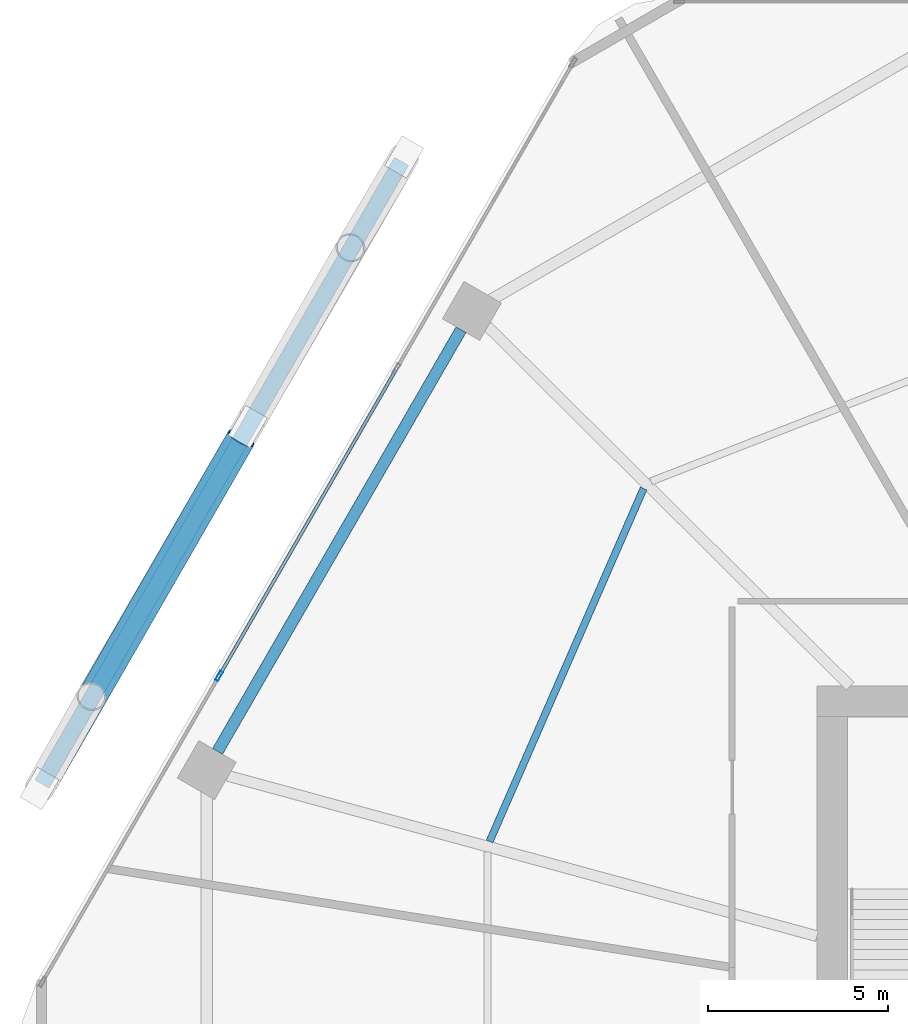
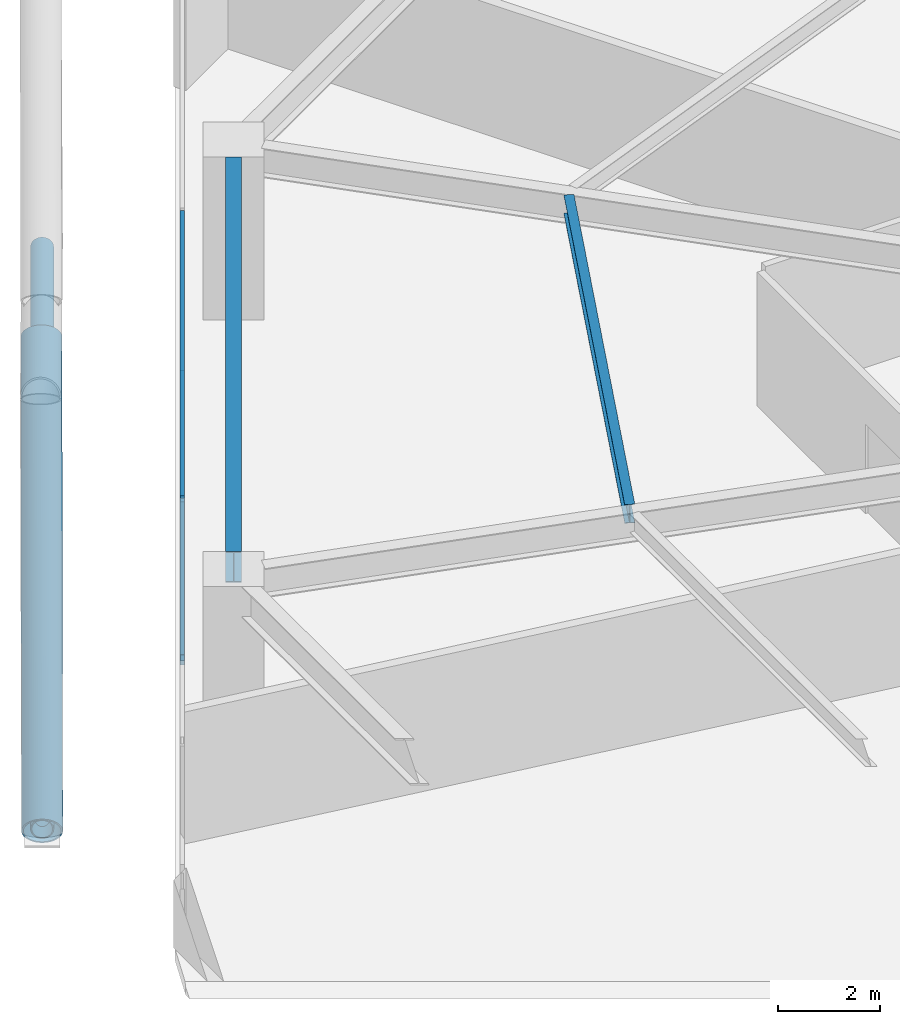
# One storey, part 14 of 28: 5 members, 2 beams, 1 element without a shape of its own.
"""IFC4 building model written with IfcOpenShell, lengths in metres."""

from ifc_helpers import new_model, si_unit, direction, frame, origin, origin_2d, place, context, subcontext, project, spatial, hollow_rectangle, hollow_circle, i_section, extrude, material, material_profile, profile_set, type_object, element, aggregate, save


model = new_model("IFC4")

# Units and contexts
model_context = context("Model", 3, precision=1e-05, world=origin(), true_north=direction((0.0, 1.0)))
body_context = subcontext(model_context, "Body", "Model", "MODEL_VIEW")
ifc_project = project(units=[si_unit("LENGTHUNIT", "METRE"), si_unit("AREAUNIT", "SQUARE_METRE"), si_unit("VOLUMEUNIT", "CUBIC_METRE"), si_unit("PLANEANGLEUNIT", "RADIAN"), si_unit("MASSUNIT", "GRAM", prefix="KILO")], contexts=[model_context])

# Site, building, storey
site_placement = place(None, origin())
site = spatial("IfcSite", under=ifc_project, at=site_placement, CompositionType="ELEMENT")
building_placement = place(site_placement, origin())
building = spatial("IfcBuilding", under=site, at=building_placement, Name="Zuhravey Tower", CompositionType="ELEMENT")
storey_placement = place(building_placement, frame((0.0, 0.0, 75.0)))
storey = spatial("IfcBuildingStorey", under=building, at=storey_placement, Name="L18", CompositionType="ELEMENT", Elevation=75.0)

# Curtain wall, members
ifc_material_1 = material(Name="Thermally broken anodised aluminium", Category="aluminium")
curtain_wall_type = type_object("IfcCurtainWallType", Name="School Low-E Unitised Curtain Wall CW1", PredefinedType="NOTDEFINED", material=ifc_material_1)
curtain_wall_placement = place(storey_placement, origin())
curtain_wall = element("IfcCurtainWall", 1, at=curtain_wall_placement, inside=storey, type_object=curtain_wall_type, Name="L18 CW1 CW-L18-F3-1", PredefinedType="NOTDEFINED")
ifc_material_2 = material(Name="Anodised aluminium", Category="aluminium")
ifc_material_profile_1 = material_profile(ifc_material_2, hollow_rectangle(XDim=0.090087890625, YDim=0.284912109375, WallThickness=0.0048828125, at=origin_2d()), Name="ALU-RHS-90x285x5")
ifc_profile_set_1 = profile_set([ifc_material_profile_1], Name="Anodised aluminium")
member_type_1 = type_object("IfcMemberType", Name="Curtain-Wall Mullion 90x180", PredefinedType="MULLION", material=ifc_profile_set_1)
member_1_placement = place(storey_placement, frame((8.45458984375, 42.20703125, 0.0), z_axis=(0.0, 0.0, 1.0), x_axis=(-0.86602552265, 0.499999794119, 0.0)))
member_1 = element("IfcMember", 2, at=member_1_placement, type_object=member_type_1, Name="CW1 mullion 2", PredefinedType="MULLION", context=body_context, shape_type="SweptSolid", body=[
    extrude(hollow_rectangle(XDim=0.090087890625, YDim=0.284912109375, WallThickness=0.0048828125, at=origin_2d()), origin(), (0.0, 0.0, 1.0), 3.919921875),
])
ifc_material_profile_2 = material_profile(ifc_material_2, hollow_rectangle(XDim=0.090087890625, YDim=0.14990234375, WallThickness=0.0048828125, at=origin_2d()), Name="ALU-RHS-90x150x5")
ifc_profile_set_2 = profile_set([ifc_material_profile_2], Name="Anodised aluminium")
member_type_2 = type_object("IfcMemberType", Name="Curtain-Wall Transom 90x150", PredefinedType="USERDEFINED", material=ifc_profile_set_2)
member_2_placement = place(storey_placement, frame((8.47705078125, 42.245849609375, 0.044921875), z_axis=(0.499990498062, 0.866030889661, 0.0), x_axis=(-0.866030889661, 0.499990498062, 0.0)))
member_2 = element("IfcMember", 3, at=member_2_placement, type_object=member_type_2, Name="CW1 transom 2.1", ObjectType="TRANSOM", PredefinedType="USERDEFINED", context=body_context, shape_type="SweptSolid", body=[
    extrude(hollow_rectangle(XDim=0.090087890625, YDim=0.14990234375, WallThickness=0.0048828125, at=origin_2d()), origin(), (0.0, 0.0, 1.0), 9.776611328125),
])
member_3_placement = place(storey_placement, frame((8.47705078125, 42.245849609375, 3.875), z_axis=(0.499990498062, 0.866030889661, 0.0), x_axis=(-0.866030889661, 0.499990498062, 0.0)))
member_3 = element("IfcMember", 4, at=member_3_placement, type_object=member_type_2, Name="CW1 transom 2.2", ObjectType="TRANSOM", PredefinedType="USERDEFINED", context=body_context, shape_type="SweptSolid", body=[
    extrude(hollow_rectangle(XDim=0.090087890625, YDim=0.14990234375, WallThickness=0.0048828125, at=origin_2d()), origin(), (0.0, 0.0, 1.0), 9.776611328125),
])
aggregate(curtain_wall, [member_1, member_2, member_3])

# Members
ifc_material_3 = material(Name="Steel SM355", Category="steel")
ifc_material_profile_3 = material_profile(ifc_material_3, hollow_circle(Radius=0.228515625, WallThickness=0.02197265625, at=origin_2d()), Name="CHS-457.2x22")
ifc_profile_set_3 = profile_set([ifc_material_profile_3], Name="Steel SM355")
member_type_3 = type_object("IfcMemberType", Name="Exoskeleton Ring Tie CHS457x22", PredefinedType="CHORD", material=ifc_profile_set_3)
member_4_placement = place(storey_placement, frame((13.529296875, 56.516845703125, -0.493896484375), z_axis=(-0.499987058157, -0.866032875632, 0.0), x_axis=(0.866032875632, -0.499987058157, 0.0)))
element("IfcMember", 5, at=member_4_placement, inside=storey, type_object=member_type_3, Name="L18 Exoskeleton Face 3 Tie EXR1", PredefinedType="CHORD", context=body_context, shape_type="SweptSolid", body=[
    extrude(hollow_circle(Radius=0.228515625, WallThickness=0.02197265625, at=origin_2d()), origin(), (0.0, 0.0, 1.0), 19.99365234375),
])
ifc_material_4 = material(Name="Steel SM460", Category="steel")
ifc_material_profile_4 = material_profile(ifc_material_4, hollow_circle(Radius=0.406494140625, WallThickness=0.035888671875, at=origin_2d()), Name="CHS-812.8x36")
ifc_profile_set_4 = profile_set([ifc_material_profile_4], Name="Steel SM460")
member_type_4 = type_object("IfcMemberType", Name="Exoskeleton Zone 1 Diagrid CHS813x36", PredefinedType="BRACE", material=ifc_profile_set_4)
member_5_placement = place(storey_placement, frame((3.486328125, 39.12158203125, -0.476806640625), z_axis=(0.469125442839, 0.814967460755, 0.34021957144), x_axis=(-0.866667631609, 0.49888597527, 0.0)))
element("IfcMember", 6, at=member_5_placement, inside=storey, type_object=member_type_4, Name="L18 Face 3 Split Diagrid Brace 3A", PredefinedType="BRACE", context=body_context, shape_type="SweptSolid", body=[
    extrude(hollow_circle(Radius=0.406494140625, WallThickness=0.035888671875, at=origin_2d()), origin(), (0.0, 0.0, 1.0), 11.897705078125),
])

# Beams
ifc_material_profile_5 = material_profile(ifc_material_3, i_section(OverallWidth=0.320068359375, OverallDepth=0.75, WebThickness=0.013916015625, FlangeThickness=0.02490234375, at=origin_2d()), Name="H-750x320x14x25")
ifc_profile_set_5 = profile_set([ifc_material_profile_5], Name="Steel SM355")
beam_type_1 = type_object("IfcBeamType", Name="Perimeter Ring Beam H750x320", PredefinedType="BEAM", material=ifc_profile_set_5)
beam_1_placement = place(storey_placement, frame((15.179443359375, 51.834716796875, 3.544921875), z_axis=(-0.499999877243, -0.866025474658, 0.0), x_axis=(0.866025474658, -0.499999877243, 0.0)))
element("IfcBeam", 7, at=beam_1_placement, inside=storey, type_object=beam_type_1, Name="L18 PB1 BM-L18-PB-05", PredefinedType="BEAM", context=body_context, shape_type="SweptSolid", body=[
    extrude(i_section(OverallWidth=0.320068359375, OverallDepth=0.75, WebThickness=0.013916015625, FlangeThickness=0.02490234375, at=origin_2d()), origin(), (0.0, 0.0, 1.0), 13.5341796875),
])
ifc_material_profile_6 = material_profile(ifc_material_3, i_section(OverallWidth=0.199951171875, OverallDepth=0.449951171875, WebThickness=0.009033203125, FlangeThickness=0.013916015625, at=origin_2d()), Name="H-450x200x9x14")
ifc_profile_set_6 = profile_set([ifc_material_profile_6], Name="Steel SM355")
beam_type_2 = type_object("IfcBeamType", Name="Secondary Floor Joist H450x200", PredefinedType="JOIST", material=ifc_profile_set_6)
beam_2_placement = place(storey_placement, frame((20.2548828125, 47.41845703125, 3.695068359375), z_axis=(-0.399923551578, -0.916548500022, 0.0), x_axis=(0.916548500022, -0.399923551578, 0.0)))
element("IfcBeam", 8, at=beam_2_placement, inside=storey, type_object=beam_type_2, Name="L18 SJ1 BM-L18-SJ-05-1", PredefinedType="JOIST", context=body_context, shape_type="SweptSolid", body=[
    extrude(i_section(OverallWidth=0.199951171875, OverallDepth=0.449951171875, WebThickness=0.009033203125, FlangeThickness=0.013916015625, at=origin_2d()), origin(), (0.0, 0.0, 1.0), 10.70263671875),
])

save(model, "model.ifc")
